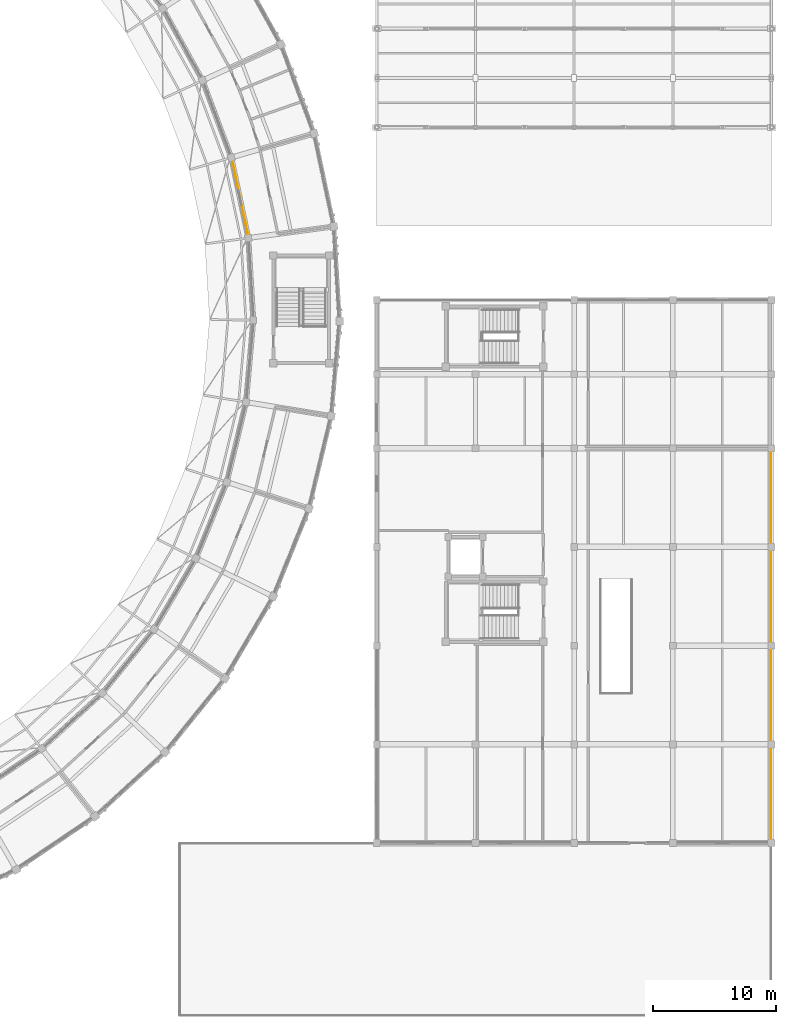
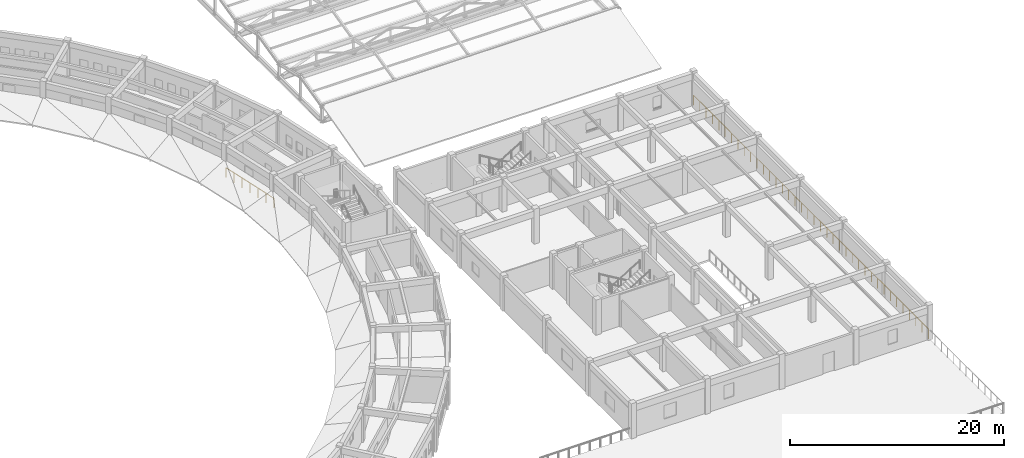
# One storey, part 111 of 112: 2 railings.
"""IFC4 building model written with IfcOpenShell, lengths in metres."""

from ifc_helpers import new_model, si_unit, direction, frame, origin, origin_2d, place, context, subcontext, project, spatial, circle, extrude, material, type_object, element, save


model = new_model("IFC4")

# Units and contexts
model_context = context("Model", 3, precision=1e-05, world=origin(), true_north=direction((0.0, 1.0)))
body_context = subcontext(model_context, "Body", "Model", "MODEL_VIEW")
ifc_project = project(units=[si_unit("LENGTHUNIT", "METRE"), si_unit("AREAUNIT", "SQUARE_METRE"), si_unit("VOLUMEUNIT", "CUBIC_METRE"), si_unit("PLANEANGLEUNIT", "RADIAN"), si_unit("MASSUNIT", "GRAM", prefix="KILO")], contexts=[model_context])

# Site, building, storey
site_placement = place(None, origin())
site = spatial("IfcSite", under=ifc_project, at=site_placement, CompositionType="ELEMENT")
building_placement = place(site_placement, origin())
building = spatial("IfcBuilding", under=site, at=building_placement, Name="Celadon Cloister-Ring School", CompositionType="ELEMENT")
storey_placement = place(building_placement, frame((0.0, 0.0, 8.5)))
storey = spatial("IfcBuildingStorey", under=building, at=storey_placement, Name="L02", CompositionType="ELEMENT", Elevation=8.5)

# Railings
ifc_material = material(Name="Structural steel S355JR", Category="steel")
railing_type = type_object("IfcRailingType", Name="RL-BL1", PredefinedType="BALUSTRADE", material=ifc_material)
railing_1_placement = place(storey_placement, frame((131.633056640625, 65.0380859375, 0.0)))
element("IfcRailing", 1, at=railing_1_placement, inside=storey, type_object=railing_type, Name="Terrace Balustrade 0137", PredefinedType="BALUSTRADE", context=body_context, shape_type="SweptSolid", body=[
    extrude(circle(Radius=0.02392578125, at=origin_2d()), frame((0.0, 0.0, 1.09619140625), z_axis=(-0.206989572624, 0.978343148811, 0.0), x_axis=(-0.978343148811, -0.206989572624, 0.0)), (0.0, 0.0, 1.0), 6.67236328125),
    extrude(circle(Radius=0.02099609375, at=origin_2d()), origin(), (0.0, 0.0, 1.0), 1.072021484375),
    extrude(circle(Radius=0.02099609375, at=origin_2d()), frame((-0.230224609375, 1.087890625, 0.0)), (0.0, 0.0, 1.0), 1.072021484375),
    extrude(circle(Radius=0.02099609375, at=origin_2d()), frame((-0.46044921875, 2.176025390625, 0.0)), (0.0, 0.0, 1.0), 1.072021484375),
    extrude(circle(Radius=0.02099609375, at=origin_2d()), frame((-0.6904296875, 3.263916015625, 0.0)), (0.0, 0.0, 1.0), 1.072021484375),
    extrude(circle(Radius=0.02099609375, at=origin_2d()), frame((-0.920654296875, 4.351806640625, 0.0)), (0.0, 0.0, 1.0), 1.072021484375),
    extrude(circle(Radius=0.02099609375, at=origin_2d()), frame((-1.15087890625, 5.43994140625, 0.0)), (0.0, 0.0, 1.0), 1.072021484375),
    extrude(circle(Radius=0.02099609375, at=origin_2d()), frame((-1.381103515625, 6.52783203125, 0.0)), (0.0, 0.0, 1.0), 1.072021484375),
])
railing_2_placement = place(storey_placement, frame((173.9599609375, 59.9599609375, 0.0)))
element("IfcRailing", 2, at=railing_2_placement, inside=storey, type_object=railing_type, Name="Terrace Balustrade 0433", PredefinedType="BALUSTRADE", context=body_context, shape_type="SweptSolid", body=[
    extrude(circle(Radius=0.02392578125, at=origin_2d()), frame((0.0, 0.0, 1.09619140625), z_axis=(0.0, -1.0, 0.0), x_axis=(1.0, 0.0, 0.0)), (0.0, 0.0, 1.0), 43.919921875),
    extrude(circle(Radius=0.02099609375, at=origin_2d()), origin(), (0.0, 0.0, 1.0), 1.072021484375),
    extrude(circle(Radius=0.02099609375, at=origin_2d()), frame((0.0, -1.18701171875, 0.0)), (0.0, 0.0, 1.0), 1.072021484375),
    extrude(circle(Radius=0.02099609375, at=origin_2d()), frame((0.0, -2.3740234375, 0.0)), (0.0, 0.0, 1.0), 1.072021484375),
    extrude(circle(Radius=0.02099609375, at=origin_2d()), frame((0.0, -3.56103515625, 0.0)), (0.0, 0.0, 1.0), 1.072021484375),
    extrude(circle(Radius=0.02099609375, at=origin_2d()), frame((0.0, -4.748046875, 0.0)), (0.0, 0.0, 1.0), 1.072021484375),
    extrude(circle(Radius=0.02099609375, at=origin_2d()), frame((0.0, -5.93505859375, 0.0)), (0.0, 0.0, 1.0), 1.072021484375),
    extrude(circle(Radius=0.02099609375, at=origin_2d()), frame((0.0, -7.1220703125, 0.0)), (0.0, 0.0, 1.0), 1.072021484375),
    extrude(circle(Radius=0.02099609375, at=origin_2d()), frame((0.0, -8.30908203125, 0.0)), (0.0, 0.0, 1.0), 1.072021484375),
    extrude(circle(Radius=0.02099609375, at=origin_2d()), frame((0.0, -9.49609375, 0.0)), (0.0, 0.0, 1.0), 1.072021484375),
    extrude(circle(Radius=0.02099609375, at=origin_2d()), frame((0.0, -10.68310546875, 0.0)), (0.0, 0.0, 1.0), 1.072021484375),
    extrude(circle(Radius=0.02099609375, at=origin_2d()), frame((0.0, -11.870361328125, 0.0)), (0.0, 0.0, 1.0), 1.072021484375),
    extrude(circle(Radius=0.02099609375, at=origin_2d()), frame((0.0, -13.057373046875, 0.0)), (0.0, 0.0, 1.0), 1.072021484375),
    extrude(circle(Radius=0.02099609375, at=origin_2d()), frame((0.0, -14.244384765625, 0.0)), (0.0, 0.0, 1.0), 1.072021484375),
    extrude(circle(Radius=0.02099609375, at=origin_2d()), frame((0.0, -15.431396484375, 0.0)), (0.0, 0.0, 1.0), 1.072021484375),
    extrude(circle(Radius=0.02099609375, at=origin_2d()), frame((0.0, -16.618408203125, 0.0)), (0.0, 0.0, 1.0), 1.072021484375),
    extrude(circle(Radius=0.02099609375, at=origin_2d()), frame((0.0, -17.805419921875, 0.0)), (0.0, 0.0, 1.0), 1.072021484375),
    extrude(circle(Radius=0.02099609375, at=origin_2d()), frame((0.0, -18.992431640625, 0.0)), (0.0, 0.0, 1.0), 1.072021484375),
    extrude(circle(Radius=0.02099609375, at=origin_2d()), frame((0.0, -20.179443359375, 0.0)), (0.0, 0.0, 1.0), 1.072021484375),
    extrude(circle(Radius=0.02099609375, at=origin_2d()), frame((0.0, -21.366455078125, 0.0)), (0.0, 0.0, 1.0), 1.072021484375),
    extrude(circle(Radius=0.02099609375, at=origin_2d()), frame((0.0, -22.553466796875, 0.0)), (0.0, 0.0, 1.0), 1.072021484375),
    extrude(circle(Radius=0.02099609375, at=origin_2d()), frame((0.0, -23.740478515625, 0.0)), (0.0, 0.0, 1.0), 1.072021484375),
    extrude(circle(Radius=0.02099609375, at=origin_2d()), frame((0.0, -24.927490234375, 0.0)), (0.0, 0.0, 1.0), 1.072021484375),
    extrude(circle(Radius=0.02099609375, at=origin_2d()), frame((0.0, -26.114501953125, 0.0)), (0.0, 0.0, 1.0), 1.072021484375),
    extrude(circle(Radius=0.02099609375, at=origin_2d()), frame((0.0, -27.301513671875, 0.0)), (0.0, 0.0, 1.0), 1.072021484375),
    extrude(circle(Radius=0.02099609375, at=origin_2d()), frame((0.0, -28.488525390625, 0.0)), (0.0, 0.0, 1.0), 1.072021484375),
    extrude(circle(Radius=0.02099609375, at=origin_2d()), frame((0.0, -29.675537109375, 0.0)), (0.0, 0.0, 1.0), 1.072021484375),
    extrude(circle(Radius=0.02099609375, at=origin_2d()), frame((0.0, -30.862548828125, 0.0)), (0.0, 0.0, 1.0), 1.072021484375),
    extrude(circle(Radius=0.02099609375, at=origin_2d()), frame((0.0, -32.049560546875, 0.0)), (0.0, 0.0, 1.0), 1.072021484375),
    extrude(circle(Radius=0.02099609375, at=origin_2d()), frame((0.0, -33.23681640625, 0.0)), (0.0, 0.0, 1.0), 1.072021484375),
    extrude(circle(Radius=0.02099609375, at=origin_2d()), frame((0.0, -34.423828125, 0.0)), (0.0, 0.0, 1.0), 1.072021484375),
    extrude(circle(Radius=0.02099609375, at=origin_2d()), frame((0.0, -35.61083984375, 0.0)), (0.0, 0.0, 1.0), 1.072021484375),
    extrude(circle(Radius=0.02099609375, at=origin_2d()), frame((0.0, -36.7978515625, 0.0)), (0.0, 0.0, 1.0), 1.072021484375),
    extrude(circle(Radius=0.02099609375, at=origin_2d()), frame((0.0, -37.98486328125, 0.0)), (0.0, 0.0, 1.0), 1.072021484375),
    extrude(circle(Radius=0.02099609375, at=origin_2d()), frame((0.0, -39.171875, 0.0)), (0.0, 0.0, 1.0), 1.072021484375),
    extrude(circle(Radius=0.02099609375, at=origin_2d()), frame((0.0, -40.35888671875, 0.0)), (0.0, 0.0, 1.0), 1.072021484375),
    extrude(circle(Radius=0.02099609375, at=origin_2d()), frame((0.0, -41.5458984375, 0.0)), (0.0, 0.0, 1.0), 1.072021484375),
    extrude(circle(Radius=0.02099609375, at=origin_2d()), frame((0.0, -42.73291015625, 0.0)), (0.0, 0.0, 1.0), 1.072021484375),
    extrude(circle(Radius=0.02099609375, at=origin_2d()), frame((0.0, -43.919921875, 0.0)), (0.0, 0.0, 1.0), 1.072021484375),
])

save(model, "model.ifc")
